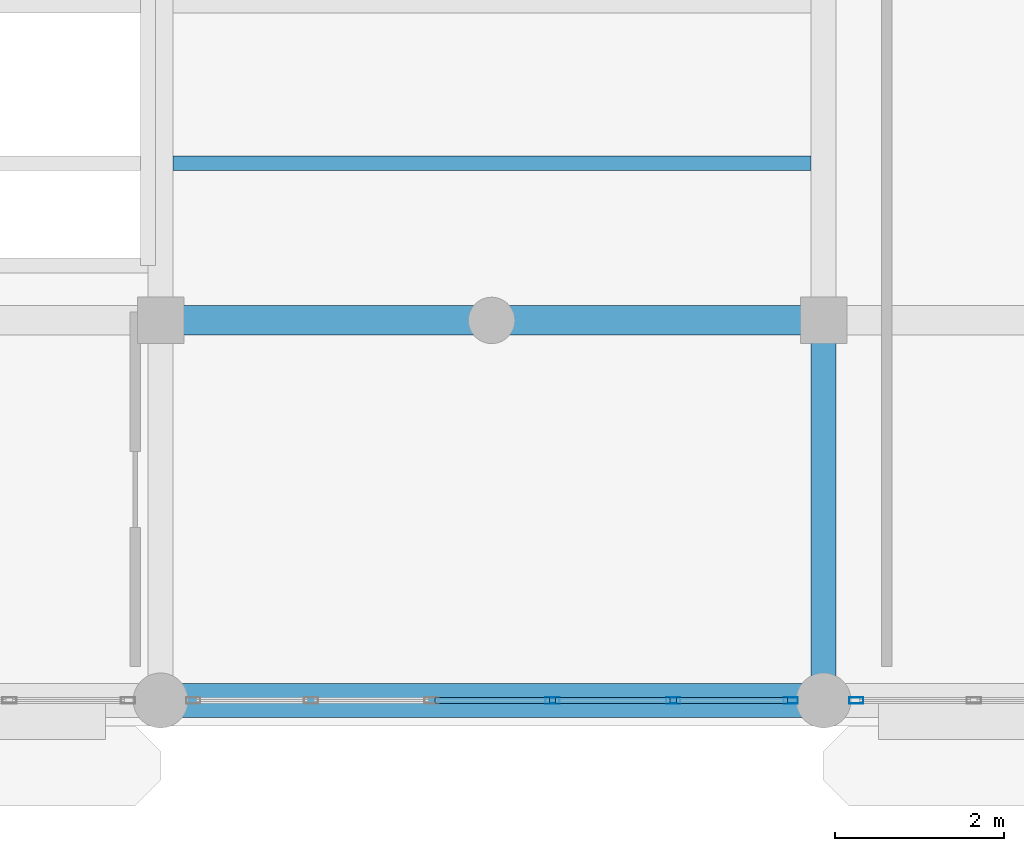
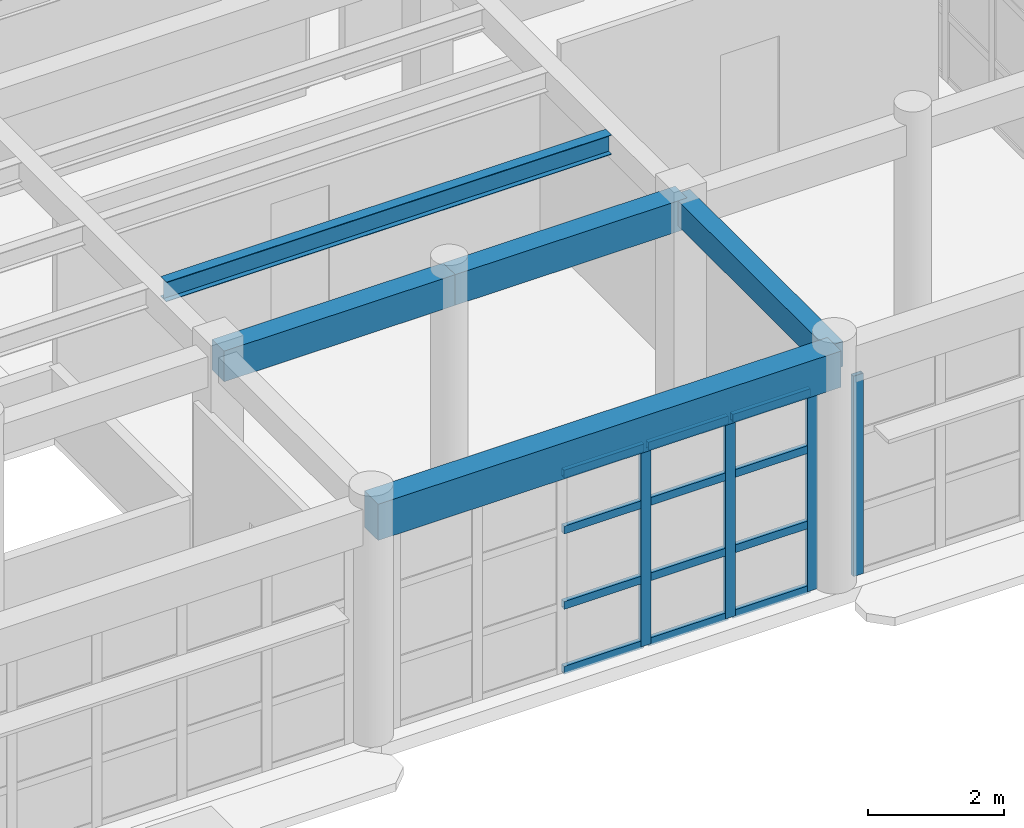
# One storey, part 8 of 85: 16 members, 5 beams, 2 elements without a shape of their own.
"""IFC4 building model written with IfcOpenShell, lengths in metres."""

import ifcopenshell
import ifcopenshell.guid

model = None  # the IFC model being written
_history = None  # IfcOwnerHistory: only IFC2X3 demands one
_inside = {}  # id of a spatial element -> (the spatial element, [elements in it])
_under = {}  # id of a project, library or spatial element -> (it, [spatial elements below it])
_declared = {}  # id of a project -> (the project, [libraries it declares])
_typed = {}  # id of a type object -> (the type object, [elements of that type])
_made_of = {}  # id of a material, layer set ... -> (it, [elements and type objects made of it])


def new_model(schema):
    """Start an empty IFC model of exactly this schema.

    Asked for "IFC4X3", IfcOpenShell would pick the latest addendum, in which some entities
    have other attributes; the version numbers below select the first issue.
    IFC2X3 requires an IfcOwnerHistory on every rooted entity: one is made here for all.
    """
    global model, _history
    if schema == "IFC4X3":
        model = ifcopenshell.file(schema_version=(4, 3, 0, 0))
    else:
        model = ifcopenshell.file(schema=schema)
    _inside.clear()
    _under.clear()
    _declared.clear()
    _typed.clear()
    _made_of.clear()
    _history = None
    if model.schema == "IFC2X3":
        org = make("IfcOrganization", Name="unknown")
        user = make(
            "IfcPersonAndOrganization",
            ThePerson=make("IfcPerson", FamilyName="unknown"),
            TheOrganization=org,
        )
        app = make(
            "IfcApplication",
            ApplicationDeveloper=org,
            Version="unknown",
            ApplicationFullName="unknown",
            ApplicationIdentifier="unknown",
        )
        _history = make(
            "IfcOwnerHistory",
            OwningUser=user,
            OwningApplication=app,
            ChangeAction="ADDED",
            CreationDate=0,
        )
    return model


def make(cls, **values):
    """One entity of the class cls with the attributes given. An attribute that is None is left unset."""
    return model.create_entity(
        cls, **{name: value for name, value in values.items() if value is not None}
    )


def rooted(cls, **values):
    """An entity with a GlobalId (a new one), such as an element, a storey or a relation."""
    return make(cls, GlobalId=ifcopenshell.guid.new(), OwnerHistory=_history, **values)


def si_unit(unit_type, name, prefix=None):
    """IfcSIUnit, for example si_unit("LENGTHUNIT", "METRE", prefix="MILLI")."""
    return make("IfcSIUnit", UnitType=unit_type, Prefix=prefix, Name=name)


def assignment(units):
    """IfcUnitAssignment: the units of a project."""
    return None if units is None else make("IfcUnitAssignment", Units=units)


def point(xyz):
    """IfcCartesianPoint."""
    return None if xyz is None else make("IfcCartesianPoint", Coordinates=xyz)


def direction(xyz):
    """IfcDirection."""
    return None if xyz is None else make("IfcDirection", DirectionRatios=xyz)


def frame(location, z_axis=None, x_axis=None):
    """IfcAxis2Placement3D, a coordinate frame: its origin and axes. An axis left out is left unset."""
    return make(
        "IfcAxis2Placement3D",
        Location=point(location),
        Axis=direction(z_axis),
        RefDirection=direction(x_axis),
    )


def frame_2d(location, x_axis=None):
    """IfcAxis2Placement2D, a coordinate frame in the plane: its origin and x axis."""
    return make(
        "IfcAxis2Placement2D", Location=point(location), RefDirection=direction(x_axis)
    )


def origin():
    """The frame at (0, 0, 0) with its axes left unset."""
    return frame((0.0, 0.0, 0.0))


def origin_2d():
    """The frame at (0, 0) in the plane with its x axis left unset."""
    return frame_2d((0.0, 0.0))


def place(relative_to, where):
    """IfcLocalPlacement: puts the frame where relative to a parent placement (None: the world)."""
    return make(
        "IfcLocalPlacement", PlacementRelTo=relative_to, RelativePlacement=where
    )


def context(
    kind, dimensions, precision=None, world=None, true_north=None, identifier=None
):
    """IfcGeometricRepresentationContext, for example the 3D "Model" context."""
    return make(
        "IfcGeometricRepresentationContext",
        ContextIdentifier=identifier,
        ContextType=kind,
        CoordinateSpaceDimension=dimensions,
        Precision=precision,
        WorldCoordinateSystem=world,
        TrueNorth=true_north,
    )


def subcontext(parent, identifier, kind, view, scale=None):
    """IfcGeometricRepresentationSubContext, for example "Body" below "Model"."""
    return make(
        "IfcGeometricRepresentationSubContext",
        ContextIdentifier=identifier,
        ContextType=kind,
        ParentContext=parent,
        TargetScale=scale,
        TargetView=view,
    )


def project(units=None, contexts=None):
    """IfcProject with its units and contexts."""
    return rooted(
        "IfcProject",
        Name="project",
        RepresentationContexts=contexts,
        UnitsInContext=assignment(units),
    )


def spatial(cls, under=None, at=None, **own):
    """A site, building, storey or space (cls), placed at a placement, below another one or the project."""
    s = rooted(cls, ObjectPlacement=at, **own)
    if under is not None:
        _under.setdefault(under.id(), (under, []))[1].append(s)
    return s


def profile(cls, at=None, kind="AREA", **sizes):
    """A parametric profile (cls). Its sizes go by their IFC names, for example OverallWidth=200.0."""
    return make(cls, ProfileType=kind, Position=at, **sizes)


def rectangle(**sizes):
    """IfcRectangleProfileDef."""
    return profile("IfcRectangleProfileDef", **sizes)


def hollow_rectangle(**sizes):
    """IfcRectangleHollowProfileDef."""
    return profile("IfcRectangleHollowProfileDef", **sizes)


def i_section(**sizes):
    """IfcIShapeProfileDef."""
    return profile("IfcIShapeProfileDef", **sizes)


def extrude(swept, where, along, depth):
    """IfcExtrudedAreaSolid: the profile swept, set in the frame where, extruded along a direction by depth."""
    return make(
        "IfcExtrudedAreaSolid",
        SweptArea=swept,
        Position=where,
        ExtrudedDirection=direction(along),
        Depth=depth,
    )


def shape(context_of_items, identifier, shape_type, items):
    """IfcShapeRepresentation: the items that make up one representation, for example the "Body"."""
    return make(
        "IfcShapeRepresentation",
        ContextOfItems=context_of_items,
        RepresentationIdentifier=identifier,
        RepresentationType=shape_type,
        Items=items,
    )


def material(Name=None, Category=None):
    """IfcMaterial."""
    return make("IfcMaterial", Name=Name, Category=Category)


def layer(
    of_material, thickness, ventilated=None, Name=None, Category=None, Priority=None
):
    """IfcMaterialLayer: one layer of a wall or slab, of a material (None: an air gap)."""
    return make(
        "IfcMaterialLayer",
        Material=of_material,
        LayerThickness=thickness,
        IsVentilated=ventilated,
        Name=Name,
        Category=Category,
        Priority=Priority,
    )


def layer_set(layers, Name=None):
    """IfcMaterialLayerSet."""
    return make("IfcMaterialLayerSet", MaterialLayers=layers, LayerSetName=Name)


def material_profile(
    of_material, cross_section, Name=None, Category=None, Priority=None
):
    """IfcMaterialProfile: a cross section and its material."""
    return make(
        "IfcMaterialProfile",
        Name=Name,
        Material=of_material,
        Profile=cross_section,
        Priority=Priority,
        Category=Category,
    )


def profile_set(profiles, Name=None, composite=None):
    """IfcMaterialProfileSet."""
    return make(
        "IfcMaterialProfileSet",
        Name=Name,
        MaterialProfiles=profiles,
        CompositeProfile=composite,
    )


def made_of(thing, what):
    """Note that an element or type object is made of a material, layer set ...; save() writes the relation."""
    if what is not None:
        _made_of.setdefault(what.id(), (what, []))[1].append(thing)
    return thing


def type_object(cls, material=None, **own):
    """A type object (cls), such as IfcWallType, which elements share."""
    return made_of(rooted(cls, **own), material)


def element(
    cls,
    number,
    at=None,
    inside=None,
    cuts=None,
    type_object=None,
    material=None,
    context=None,
    identifier="Body",
    shape_type=None,
    held_by="IfcProductDefinitionShape",
    body=None,
    shapes=None,
    **own,
):
    """One element of the class cls, such as IfcWall. Its Tag is "e" and its number.

    at: its placement. inside: the storey or other place that contains it. cuts: it is an
    opening in that element (IfcRelVoidsElement). A single representation is given by context,
    identifier, shape_type and body (its items); several are given by shapes. held_by: the class
    of the entity that holds the representations. save() writes the other relations.
    """
    e = rooted(cls, Tag="e%d" % number, ObjectPlacement=at, **own)
    if body is not None:
        shapes = [shape(context, identifier, shape_type, body)]
    if shapes is not None:
        e.Representation = make(held_by, Representations=shapes)
    if inside is not None:
        _inside.setdefault(inside.id(), (inside, []))[1].append(e)
    if cuts is not None:
        rooted(
            "IfcRelVoidsElement", RelatingBuildingElement=cuts, RelatedOpeningElement=e
        )
    if type_object is not None:
        _typed.setdefault(type_object.id(), (type_object, []))[1].append(e)
    return made_of(e, material)


def aggregate(whole, parts):
    """IfcRelAggregates: a whole, such as a stair, and the parts it consists of."""
    return rooted("IfcRelAggregates", RelatingObject=whole, RelatedObjects=parts)


def save(model, path):
    """Write the relations noted so far, then the file.

    IfcRelAggregates (storeys below a building ...), IfcRelContainedInSpatialStructure (elements
    in a storey), IfcRelDefinesByType, IfcRelAssociatesMaterial and IfcRelDeclares: one each for
    every whole, place, type object, material and project.
    """
    for whole, parts in _under.values():
        aggregate(whole, parts)
    for where, things in _inside.values():
        rooted(
            "IfcRelContainedInSpatialStructure",
            RelatedElements=things,
            RelatingStructure=where,
        )
    for kind, things in _typed.values():
        rooted("IfcRelDefinesByType", RelatedObjects=things, RelatingType=kind)
    for what, things in _made_of.values():
        rooted("IfcRelAssociatesMaterial", RelatedObjects=things, RelatingMaterial=what)
    for by, libraries in _declared.values():
        rooted("IfcRelDeclares", RelatingContext=by, RelatedDefinitions=libraries)
    model.write(path)


model = new_model("IFC4")

# Units and contexts
model_context = context("Model", 3, precision=1e-05, world=origin(), true_north=direction((0.0, 1.0)))
body_context = subcontext(model_context, "Body", "Model", "MODEL_VIEW")
ifc_project = project(units=[si_unit("LENGTHUNIT", "METRE"), si_unit("AREAUNIT", "SQUARE_METRE"), si_unit("VOLUMEUNIT", "CUBIC_METRE"), si_unit("PLANEANGLEUNIT", "RADIAN"), si_unit("MASSUNIT", "GRAM", prefix="KILO")], contexts=[model_context])

# Site, building, storey
site_placement = place(None, origin())
site = spatial("IfcSite", under=ifc_project, at=site_placement, CompositionType="ELEMENT")
building_placement = place(site_placement, origin())
building = spatial("IfcBuilding", under=site, at=building_placement, Name="Candilejo Ridge Gondola Terminal", CompositionType="ELEMENT")
storey_placement = place(building_placement, frame((0.0, 0.0, 4.5)))
storey = spatial("IfcBuildingStorey", under=building, at=storey_placement, Name="L01", CompositionType="ELEMENT", Elevation=4.5)

# Curtain wall, members
ifc_material_1 = material(Name="Anodised aluminium AA 6063-T6", Category="aluminium")
ifc_layer = layer(ifc_material_1, 0.169921875)
ifc_layer_set = layer_set([ifc_layer], Name="ARC-CW-CONCOURSE-3600-715X359")
curtain_wall_type = type_object("IfcCurtainWallType", Name="ARC-CW-CONCOURSE-3600-715X359", PredefinedType="NOTDEFINED", material=ifc_layer_set)
curtain_wall_1_placement = place(storey_placement, origin())
curtain_wall_1 = element("IfcCurtainWall", 1, at=curtain_wall_1_placement, inside=storey, type_object=curtain_wall_type, Name="Curtain wall V1 L01-013", PredefinedType="NOTDEFINED")
ifc_material_2 = material(Name="Anodised aluminium AA 6063-T6", Category="aluminium")
ifc_material_profile_1 = material_profile(ifc_material_2, hollow_rectangle(XDim=0.074951171875, YDim=0.169921875, WallThickness=0.00390625, at=origin_2d()))
ifc_profile_set_1 = profile_set([ifc_material_profile_1], Name="Anodised aluminium AA 6063-T6")
member_type_1 = type_object("IfcMemberType", Name="ARC-CW-MULLION", PredefinedType="MULLION", material=ifc_profile_set_1)
member_1_placement = place(storey_placement, frame((32.639892578125, 6.300048828125, 0.0), z_axis=(0.0, 0.0, 1.0), x_axis=(0.0, 1.0, 0.0)))
member_1 = element("IfcMember", 2, at=member_1_placement, type_object=member_type_1, Name="CW-71X35 mullion 4", PredefinedType="MULLION", context=body_context, shape_type="SweptSolid", body=[
    extrude(hollow_rectangle(XDim=0.074951171875, YDim=0.169921875, WallThickness=0.00390625, at=origin_2d()), origin(), (0.0, 0.0, 1.0), 3.590087890625),
])
member_2_placement = place(storey_placement, frame((34.070068359375, 6.300048828125, 0.0), z_axis=(0.0, 0.0, 1.0), x_axis=(0.0, 1.0, 0.0)))
member_2 = element("IfcMember", 3, at=member_2_placement, type_object=member_type_1, Name="CW-71X35 mullion 5", PredefinedType="MULLION", context=body_context, shape_type="SweptSolid", body=[
    extrude(hollow_rectangle(XDim=0.074951171875, YDim=0.169921875, WallThickness=0.00390625, at=origin_2d()), origin(), (0.0, 0.0, 1.0), 3.590087890625),
])
member_3_placement = place(storey_placement, frame((35.46240234375, 6.300048828125, 0.0), z_axis=(0.0, 0.0, 1.0), x_axis=(0.0, 1.0, 0.0)))
member_3 = element("IfcMember", 4, at=member_3_placement, type_object=member_type_1, Name="CW-71X35 mullion 6", PredefinedType="MULLION", context=body_context, shape_type="SweptSolid", body=[
    extrude(hollow_rectangle(XDim=0.074951171875, YDim=0.169921875, WallThickness=0.00390625, at=origin_2d()), origin(), (0.0, 0.0, 1.0), 3.590087890625),
])

# Curtain wall, member
curtain_wall_2_placement = place(storey_placement, origin())
curtain_wall_2 = element("IfcCurtainWall", 5, at=curtain_wall_2_placement, inside=storey, type_object=curtain_wall_type, Name="Curtain wall V1 L01-017", PredefinedType="NOTDEFINED")
member_4_placement = place(storey_placement, frame((36.237548828125, 6.300048828125, 0.0), z_axis=(0.0, 0.0, 1.0), x_axis=(0.0, 1.0, 0.0)))
member_4 = element("IfcMember", 6, at=member_4_placement, type_object=member_type_1, Name="CW-71X35 mullion 1", PredefinedType="MULLION", context=body_context, shape_type="SweptSolid", body=[
    extrude(hollow_rectangle(XDim=0.074951171875, YDim=0.169921875, WallThickness=0.00390625, at=origin_2d()), origin(), (0.0, 0.0, 1.0), 3.590087890625),
])
aggregate(curtain_wall_2, [member_4])

# Member
ifc_material_3 = material(Name="Anodised aluminium AA 6063-T6", Category="aluminium")
ifc_material_profile_2 = material_profile(ifc_material_3, hollow_rectangle(XDim=0.074951171875, YDim=0.139892578125, WallThickness=0.00390625, at=origin_2d()))
ifc_profile_set_2 = profile_set([ifc_material_profile_2], Name="Anodised aluminium AA 6063-T6")
member_type_2 = type_object("IfcMemberType", Name="ARC-CW-TRANSOM", PredefinedType="USERDEFINED", material=ifc_profile_set_2)
member_5_placement = place(storey_placement, frame((31.24755859375, 6.300048828125, 0.03759765625), z_axis=(1.0, 0.0, 0.0), x_axis=(0.0, 1.0, 0.0)))
member_5 = element("IfcMember", 7, at=member_5_placement, type_object=member_type_2, Name="CW-71X35 transom 3.1", ObjectType="TRANSOM", PredefinedType="USERDEFINED", context=body_context, shape_type="SweptSolid", body=[
    extrude(hollow_rectangle(XDim=0.074951171875, YDim=0.139892578125, WallThickness=0.00390625, at=origin_2d()), origin(), (0.0, 0.0, 1.0), 1.35498046875),
])

member_6_placement = place(storey_placement, frame((31.24755859375, 6.300048828125, 1.199951171875), z_axis=(1.0, 0.0, 0.0), x_axis=(0.0, 1.0, 0.0)))
member_6 = element("IfcMember", 8, at=member_6_placement, type_object=member_type_2, Name="CW-71X35 transom 3.2", ObjectType="TRANSOM", PredefinedType="USERDEFINED", context=body_context, shape_type="SweptSolid", body=[
    extrude(hollow_rectangle(XDim=0.074951171875, YDim=0.139892578125, WallThickness=0.00390625, at=origin_2d()), origin(), (0.0, 0.0, 1.0), 1.35498046875),
])

member_7_placement = place(storey_placement, frame((31.24755859375, 6.300048828125, 2.550048828125), z_axis=(1.0, 0.0, 0.0), x_axis=(0.0, 1.0, 0.0)))
member_7 = element("IfcMember", 9, at=member_7_placement, type_object=member_type_2, Name="CW-71X35 transom 3.3", ObjectType="TRANSOM", PredefinedType="USERDEFINED", context=body_context, shape_type="SweptSolid", body=[
    extrude(hollow_rectangle(XDim=0.074951171875, YDim=0.139892578125, WallThickness=0.00390625, at=origin_2d()), origin(), (0.0, 0.0, 1.0), 1.35498046875),
])

member_8_placement = place(storey_placement, frame((31.24755859375, 6.300048828125, 3.552490234375), z_axis=(1.0, 0.0, 0.0), x_axis=(0.0, 1.0, 0.0)))
member_8 = element("IfcMember", 10, at=member_8_placement, type_object=member_type_2, Name="CW-71X35 transom 3.4", ObjectType="TRANSOM", PredefinedType="USERDEFINED", context=body_context, shape_type="SweptSolid", body=[
    extrude(hollow_rectangle(XDim=0.074951171875, YDim=0.139892578125, WallThickness=0.00390625, at=origin_2d()), origin(), (0.0, 0.0, 1.0), 1.35498046875),
])

member_9_placement = place(storey_placement, frame((32.677490234375, 6.300048828125, 0.03759765625), z_axis=(1.0, 0.0, 0.0), x_axis=(0.0, 1.0, 0.0)))
member_9 = element("IfcMember", 11, at=member_9_placement, type_object=member_type_2, Name="CW-71X35 transom 4.1", ObjectType="TRANSOM", PredefinedType="USERDEFINED", context=body_context, shape_type="SweptSolid", body=[
    extrude(hollow_rectangle(XDim=0.074951171875, YDim=0.139892578125, WallThickness=0.00390625, at=origin_2d()), origin(), (0.0, 0.0, 1.0), 1.35498046875),
])

member_10_placement = place(storey_placement, frame((32.677490234375, 6.300048828125, 1.199951171875), z_axis=(1.0, 0.0, 0.0), x_axis=(0.0, 1.0, 0.0)))
member_10 = element("IfcMember", 12, at=member_10_placement, type_object=member_type_2, Name="CW-71X35 transom 4.2", ObjectType="TRANSOM", PredefinedType="USERDEFINED", context=body_context, shape_type="SweptSolid", body=[
    extrude(hollow_rectangle(XDim=0.074951171875, YDim=0.139892578125, WallThickness=0.00390625, at=origin_2d()), origin(), (0.0, 0.0, 1.0), 1.35498046875),
])

member_11_placement = place(storey_placement, frame((32.677490234375, 6.300048828125, 2.550048828125), z_axis=(1.0, 0.0, 0.0), x_axis=(0.0, 1.0, 0.0)))
member_11 = element("IfcMember", 13, at=member_11_placement, type_object=member_type_2, Name="CW-71X35 transom 4.3", ObjectType="TRANSOM", PredefinedType="USERDEFINED", context=body_context, shape_type="SweptSolid", body=[
    extrude(hollow_rectangle(XDim=0.074951171875, YDim=0.139892578125, WallThickness=0.00390625, at=origin_2d()), origin(), (0.0, 0.0, 1.0), 1.35498046875),
])

member_12_placement = place(storey_placement, frame((32.677490234375, 6.300048828125, 3.552490234375), z_axis=(1.0, 0.0, 0.0), x_axis=(0.0, 1.0, 0.0)))
member_12 = element("IfcMember", 14, at=member_12_placement, type_object=member_type_2, Name="CW-71X35 transom 4.4", ObjectType="TRANSOM", PredefinedType="USERDEFINED", context=body_context, shape_type="SweptSolid", body=[
    extrude(hollow_rectangle(XDim=0.074951171875, YDim=0.139892578125, WallThickness=0.00390625, at=origin_2d()), origin(), (0.0, 0.0, 1.0), 1.35498046875),
])

member_13_placement = place(storey_placement, frame((34.107421875, 6.300048828125, 0.03759765625), z_axis=(1.0, 0.0, 0.0), x_axis=(0.0, 1.0, 0.0)))
member_13 = element("IfcMember", 15, at=member_13_placement, type_object=member_type_2, Name="CW-71X35 transom 5.1", ObjectType="TRANSOM", PredefinedType="USERDEFINED", context=body_context, shape_type="SweptSolid", body=[
    extrude(hollow_rectangle(XDim=0.074951171875, YDim=0.139892578125, WallThickness=0.00390625, at=origin_2d()), origin(), (0.0, 0.0, 1.0), 1.317626953125),
])

member_14_placement = place(storey_placement, frame((34.107421875, 6.300048828125, 1.199951171875), z_axis=(1.0, 0.0, 0.0), x_axis=(0.0, 1.0, 0.0)))
member_14 = element("IfcMember", 16, at=member_14_placement, type_object=member_type_2, Name="CW-71X35 transom 5.2", ObjectType="TRANSOM", PredefinedType="USERDEFINED", context=body_context, shape_type="SweptSolid", body=[
    extrude(hollow_rectangle(XDim=0.074951171875, YDim=0.139892578125, WallThickness=0.00390625, at=origin_2d()), origin(), (0.0, 0.0, 1.0), 1.317626953125),
])

member_15_placement = place(storey_placement, frame((34.107421875, 6.300048828125, 2.550048828125), z_axis=(1.0, 0.0, 0.0), x_axis=(0.0, 1.0, 0.0)))
member_15 = element("IfcMember", 17, at=member_15_placement, type_object=member_type_2, Name="CW-71X35 transom 5.3", ObjectType="TRANSOM", PredefinedType="USERDEFINED", context=body_context, shape_type="SweptSolid", body=[
    extrude(hollow_rectangle(XDim=0.074951171875, YDim=0.139892578125, WallThickness=0.00390625, at=origin_2d()), origin(), (0.0, 0.0, 1.0), 1.317626953125),
])

member_16_placement = place(storey_placement, frame((34.107421875, 6.300048828125, 3.552490234375), z_axis=(1.0, 0.0, 0.0), x_axis=(0.0, 1.0, 0.0)))
member_16 = element("IfcMember", 18, at=member_16_placement, type_object=member_type_2, Name="CW-71X35 transom 5.4", ObjectType="TRANSOM", PredefinedType="USERDEFINED", context=body_context, shape_type="SweptSolid", body=[
    extrude(hollow_rectangle(XDim=0.074951171875, YDim=0.139892578125, WallThickness=0.00390625, at=origin_2d()), origin(), (0.0, 0.0, 1.0), 1.317626953125),
])

aggregate(curtain_wall_1, [member_1, member_2, member_3, member_5, member_6, member_7, member_8, member_9, member_10, member_11, member_12, member_13, member_14, member_15, member_16])

# Beams
ifc_material_4 = material(Name="Concrete f'c 35 MPa (C35/45)", Category="concrete")
ifc_material_profile_3 = material_profile(ifc_material_4, rectangle(XDim=0.300048828125, YDim=0.449951171875, at=origin_2d()))
ifc_profile_set_3 = profile_set([ifc_material_profile_3], Name="Concrete f'c 35 MPa (C35/45)")
beam_type_1 = type_object("IfcBeamType", Name="STR-BM-RC300X450", PredefinedType="BEAM", material=ifc_profile_set_3)
beam_1_placement = place(storey_placement, frame((35.85009765625, 6.300048828125, 4.02490234375), z_axis=(0.0, 1.0, 0.0), x_axis=(-1.0, 0.0, 0.0)))
element("IfcBeam", 19, at=beam_1_placement, inside=storey, type_object=beam_type_1, Name="Beam Y V1 L01 Y01-Y02@X05", PredefinedType="BEAM", context=body_context, shape_type="SweptSolid", body=[
    extrude(rectangle(XDim=0.300048828125, YDim=0.449951171875, at=origin_2d()), origin(), (0.0, 0.0, 1.0), 4.5),
])
ifc_material_5 = material(Name="Concrete f'c 35 MPa (C35/45)", Category="concrete")
ifc_material_profile_4 = material_profile(ifc_material_5, rectangle(XDim=0.35009765625, YDim=0.550048828125, at=origin_2d()))
ifc_profile_set_4 = profile_set([ifc_material_profile_4], Name="Concrete f'c 35 MPa (C35/45)")
beam_type_2 = type_object("IfcBeamType", Name="STR-BM-RC350X550", PredefinedType="BEAM", material=ifc_profile_set_4)
beam_2_placement = place(storey_placement, frame((28.0, 10.800048828125, 3.97509765625), z_axis=(1.0, 0.0, 0.0), x_axis=(0.0, 1.0, 0.0)))
element("IfcBeam", 20, at=beam_2_placement, inside=storey, type_object=beam_type_2, Name="Beam X V1 L01 X04-X05@Y02", PredefinedType="BEAM", context=body_context, shape_type="SweptSolid", body=[
    extrude(rectangle(XDim=0.35009765625, YDim=0.550048828125, at=origin_2d()), origin(), (0.0, 0.0, 1.0), 3.919921875),
])
beam_3_placement = place(storey_placement, frame((31.919921875, 10.800048828125, 3.97509765625), z_axis=(1.0, 0.0, 0.0), x_axis=(0.0, 1.0, 0.0)))
element("IfcBeam", 21, at=beam_3_placement, inside=storey, type_object=beam_type_2, Name="Beam X V1 L01 X04-X05@Y02", PredefinedType="BEAM", context=body_context, shape_type="SweptSolid", body=[
    extrude(rectangle(XDim=0.35009765625, YDim=0.550048828125, at=origin_2d()), origin(), (0.0, 0.0, 1.0), 3.93017578125),
])
ifc_material_6 = material(Name="Steel ASTM A992 Grade 50", Category="steel")
ifc_material_profile_5 = material_profile(ifc_material_6, i_section(OverallWidth=0.1708984375, OverallDepth=0.35205078125, WebThickness=0.0068359375, FlangeThickness=0.009765625, at=origin_2d()))
ifc_profile_set_5 = profile_set([ifc_material_profile_5], Name="Steel ASTM A992 Grade 50")
beam_type_3 = type_object("IfcBeamType", Name="STR-JST-W360X44", PredefinedType="JOIST", material=ifc_profile_set_5)
beam_4_placement = place(storey_placement, frame((28.14990234375, 12.66259765625, 4.073974609375), z_axis=(1.0, 0.0, 0.0), x_axis=(0.0, 1.0, 0.0)))
element("IfcBeam", 22, at=beam_4_placement, inside=storey, type_object=beam_type_3, Name="Composite joist V1 L01-0129", PredefinedType="JOIST", context=body_context, shape_type="SweptSolid", body=[
    extrude(i_section(OverallWidth=0.1708984375, OverallDepth=0.35205078125, WebThickness=0.0068359375, FlangeThickness=0.009765625, at=origin_2d()), origin(), (0.0, 0.0, 1.0), 7.550048828125),
])
ifc_material_7 = material(Name="Concrete f'c 35 MPa (C35/45)", Category="concrete")
ifc_material_profile_6 = material_profile(ifc_material_7, rectangle(XDim=0.39990234375, YDim=0.64990234375, at=origin_2d()))
ifc_profile_set_6 = profile_set([ifc_material_profile_6], Name="Concrete f'c 35 MPa (C35/45)")
beam_type_4 = type_object("IfcBeamType", Name="STR-SPN-RC400X650", PredefinedType="SPANDREL", material=ifc_profile_set_6)
beam_5_placement = place(storey_placement, frame((28.0, 6.300048828125, 3.925048828125), z_axis=(1.0, 0.0, 0.0), x_axis=(0.0, 1.0, 0.0)))
element("IfcBeam", 23, at=beam_5_placement, inside=storey, type_object=beam_type_4, Name="Beam X V1 L01 X04-X05@Y01", PredefinedType="SPANDREL", context=body_context, shape_type="SweptSolid", body=[
    extrude(rectangle(XDim=0.39990234375, YDim=0.64990234375, at=origin_2d()), origin(), (0.0, 0.0, 1.0), 7.85009765625),
])

save(model, "model.ifc")
